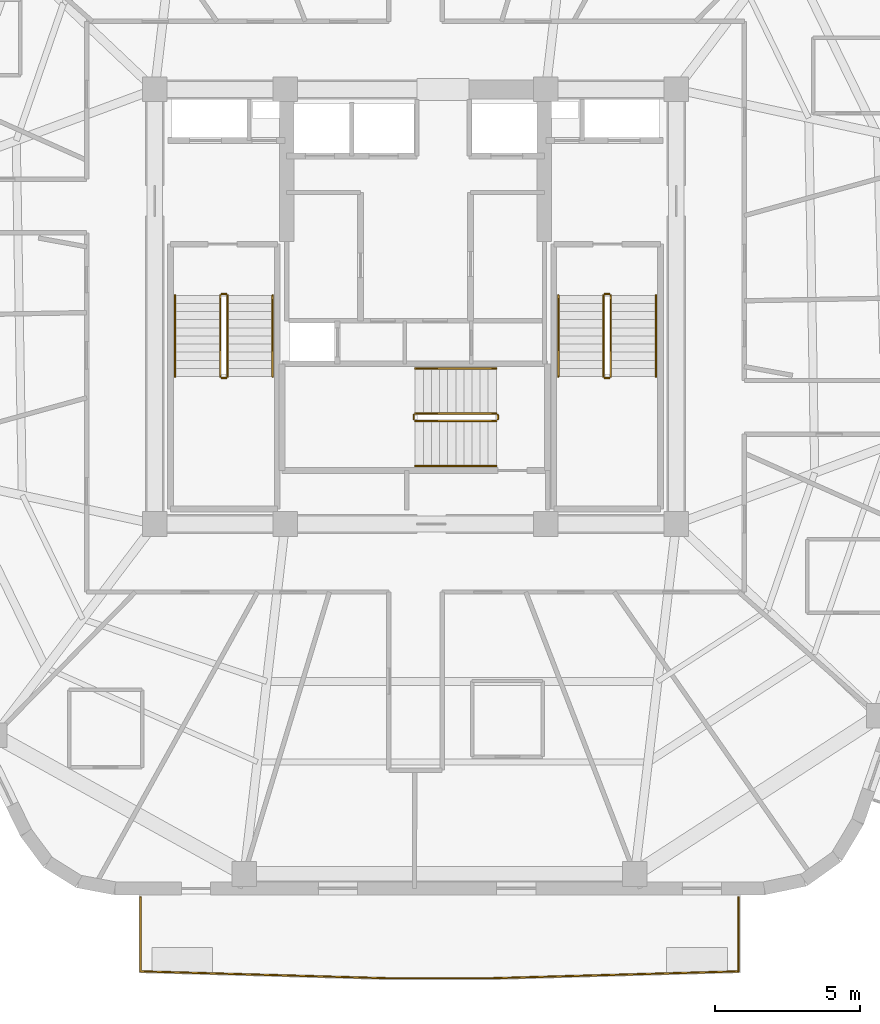
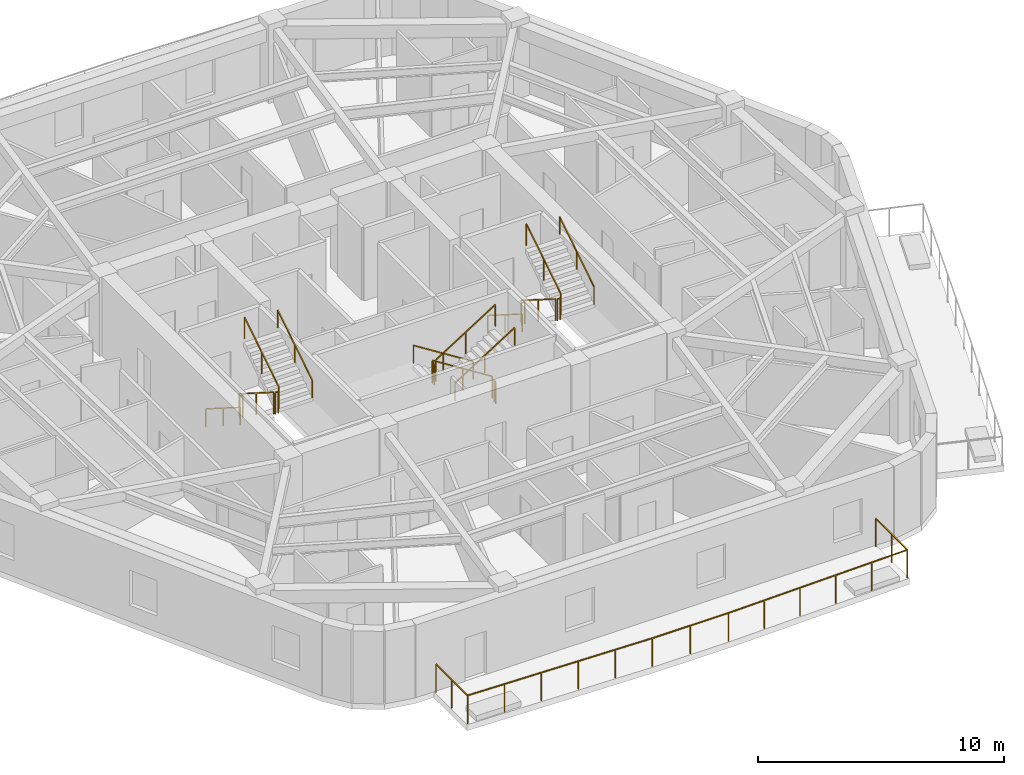
# One storey, part 8 of 9: 19 railings.
"""IFC4 building model written with IfcOpenShell, lengths in metres."""

from ifc_helpers import new_model, si_unit, direction, frame, origin, origin_2d, place, context, subcontext, project, spatial, rectangle, extrude, material, layer, layer_set, type_object, element, save


model = new_model("IFC4")

# Units and contexts
model_context = context("Model", 3, precision=1e-05, world=origin(), true_north=direction((0.0, 1.0)))
body_context = subcontext(model_context, "Body", "Model", "MODEL_VIEW")
ifc_project = project(units=[si_unit("LENGTHUNIT", "METRE"), si_unit("AREAUNIT", "SQUARE_METRE"), si_unit("VOLUMEUNIT", "CUBIC_METRE"), si_unit("PLANEANGLEUNIT", "RADIAN"), si_unit("MASSUNIT", "GRAM", prefix="KILO")], contexts=[model_context])

# Site, building, storey
site_placement = place(None, origin())
site = spatial("IfcSite", under=ifc_project, at=site_placement, CompositionType="ELEMENT")
building_placement = place(site_placement, origin())
building = spatial("IfcBuilding", under=site, at=building_placement, Name="Kilnhurst Terrace Hotel", CompositionType="ELEMENT")
storey_placement = place(building_placement, frame((0.0, 0.0, 269.10009765625)))
storey = spatial("IfcBuildingStorey", under=building, at=storey_placement, Name="L67", CompositionType="ELEMENT", Elevation=269.10009765625)

# Railings
ifc_material_1 = material(Name="Laminated SentryGlas and Stainless Steel AISI 316L Balustrade", Category="steel")
ifc_layer_1 = layer(ifc_material_1, 0.070068359375, Name="Laminated SentryGlas and Stainless Steel AISI 316L Balustrade")
ifc_layer_set_1 = layer_set([ifc_layer_1], Name="Laminated SentryGlas and Stainless Steel AISI 316L Balustrade")
railing_type_1 = type_object("IfcRailingType", Name="RLG-BAL-1420", PredefinedType="BALUSTRADE", material=ifc_layer_set_1)
railing_1_placement = place(storey_placement, frame((11.151611328125, -20.3798828125, 0.0)))
element("IfcRailing", 1, at=railing_1_placement, inside=storey, type_object=railing_type_1, Name="L67 Exterior Terrace Guardrail BAL-L1A.1", PredefinedType="BALUSTRADE", context=body_context, shape_type="SweptSolid", body=[
    extrude(rectangle(XDim=0.048095703125, YDim=0.048095703125, at=origin_2d()), frame((0.0, 0.0, 1.39599609375), z_axis=(0.0, -1.0, 0.0), x_axis=(1.0, 0.0, 0.0)), (0.0, 0.0, 1.0), 2.561767578125),
    extrude(rectangle(XDim=0.048095703125, YDim=0.048095703125, at=origin_2d()), frame((0.0, -2.561767578125, 1.39599609375), z_axis=(-0.999610218954, -0.027917918323, 0.0), x_axis=(0.027917918323, -0.999610218954, 0.0)), (0.0, 0.0, 1.0), 8.53515625),
    extrude(rectangle(XDim=0.048095703125, YDim=0.048095703125, at=origin_2d()), frame((-8.53173828125, -2.800048828125, 1.39599609375), z_axis=(-1.0, 0.0, 0.0), x_axis=(0.0, -1.0, 0.0)), (0.0, 0.0, 1.0), 3.577880859375),
    extrude(rectangle(XDim=0.048095703125, YDim=0.048095703125, at=origin_2d()), frame((-12.109619140625, -2.800048828125, 1.39599609375), z_axis=(-0.999610218954, 0.027917918323, 0.0), x_axis=(-0.027917918323, -0.999610218954, 0.0)), (0.0, 0.0, 1.0), 8.53515625),
    extrude(rectangle(XDim=0.048095703125, YDim=0.048095703125, at=origin_2d()), frame((-20.641357421875, -2.561767578125, 1.39599609375), z_axis=(0.0, 1.0, 0.0), x_axis=(-1.0, 0.0, 0.0)), (0.0, 0.0, 1.0), 2.561767578125),
    extrude(rectangle(XDim=0.0419921875, YDim=0.0419921875, at=origin_2d()), origin(), (0.0, 0.0, 1.0), 1.371826171875),
    extrude(rectangle(XDim=0.0419921875, YDim=0.0419921875, at=origin_2d()), frame((0.0, -1.28076171875, 0.0)), (0.0, 0.0, 1.0), 1.371826171875),
    extrude(rectangle(XDim=0.0419921875, YDim=0.0419921875, at=origin_2d()), frame((0.0, -2.561767578125, 0.0)), (0.0, 0.0, 1.0), 1.371826171875),
    extrude(rectangle(XDim=0.0419921875, YDim=0.0419921875, at=origin_2d()), frame((-1.706298828125, -2.609375, 0.0)), (0.0, 0.0, 1.0), 1.371826171875),
    extrude(rectangle(XDim=0.0419921875, YDim=0.0419921875, at=origin_2d()), frame((-3.41259765625, -2.656982421875, 0.0)), (0.0, 0.0, 1.0), 1.371826171875),
    extrude(rectangle(XDim=0.0419921875, YDim=0.0419921875, at=origin_2d()), frame((-5.119140625, -2.704833984375, 0.0)), (0.0, 0.0, 1.0), 1.371826171875),
    extrude(rectangle(XDim=0.0419921875, YDim=0.0419921875, at=origin_2d()), frame((-6.825439453125, -2.75244140625, 0.0)), (0.0, 0.0, 1.0), 1.371826171875),
    extrude(rectangle(XDim=0.0419921875, YDim=0.0419921875, at=origin_2d()), frame((-8.53173828125, -2.800048828125, 0.0)), (0.0, 0.0, 1.0), 1.371826171875),
    extrude(rectangle(XDim=0.0419921875, YDim=0.0419921875, at=origin_2d()), frame((-10.32080078125, -2.800048828125, 0.0)), (0.0, 0.0, 1.0), 1.371826171875),
    extrude(rectangle(XDim=0.0419921875, YDim=0.0419921875, at=origin_2d()), frame((-12.109619140625, -2.800048828125, 0.0)), (0.0, 0.0, 1.0), 1.371826171875),
    extrude(rectangle(XDim=0.0419921875, YDim=0.0419921875, at=origin_2d()), frame((-13.81591796875, -2.75244140625, 0.0)), (0.0, 0.0, 1.0), 1.371826171875),
    extrude(rectangle(XDim=0.0419921875, YDim=0.0419921875, at=origin_2d()), frame((-15.522216796875, -2.704833984375, 0.0)), (0.0, 0.0, 1.0), 1.371826171875),
    extrude(rectangle(XDim=0.0419921875, YDim=0.0419921875, at=origin_2d()), frame((-17.228759765625, -2.656982421875, 0.0)), (0.0, 0.0, 1.0), 1.371826171875),
    extrude(rectangle(XDim=0.0419921875, YDim=0.0419921875, at=origin_2d()), frame((-18.93505859375, -2.609375, 0.0)), (0.0, 0.0, 1.0), 1.371826171875),
    extrude(rectangle(XDim=0.0419921875, YDim=0.0419921875, at=origin_2d()), frame((-20.641357421875, -2.561767578125, 0.0)), (0.0, 0.0, 1.0), 1.371826171875),
    extrude(rectangle(XDim=0.0419921875, YDim=0.0419921875, at=origin_2d()), frame((-20.641357421875, -1.28076171875, 0.0)), (0.0, 0.0, 1.0), 1.371826171875),
    extrude(rectangle(XDim=0.0419921875, YDim=0.0419921875, at=origin_2d()), frame((-20.641357421875, 0.0, 0.0)), (0.0, 0.0, 1.0), 1.371826171875),
])
ifc_material_2 = material(Name="Powder-Coated Steel ASTM A500 Grade B", Category="steel")
ifc_layer_2 = layer(ifc_material_2, 0.050048828125, Name="Powder-Coated Steel ASTM A500 Grade B")
ifc_layer_set_2 = layer_set([ifc_layer_2], Name="Powder-Coated Steel ASTM A500 Grade B")
railing_type_2 = type_object("IfcRailingType", Name="RLG-ST-GRD-1100", PredefinedType="GUARDRAIL", material=ifc_layer_set_2)
railing_2_placement = place(storey_placement, frame((-6.739990234375, 0.389892578125, 0.17724609375)))
element("IfcRailing", 2, at=railing_2_placement, inside=storey, type_object=railing_type_2, Name="L67 ST-1 stair guard 1", PredefinedType="GUARDRAIL", context=body_context, shape_type="SweptSolid", body=[
    extrude(rectangle(XDim=0.048095703125, YDim=0.048095703125, at=origin_2d()), frame((0.0, 0.0, 1.076171875), z_axis=(0.0, -0.844887892834, 0.53494340686), x_axis=(1.0, 0.0, 0.0)), (0.0, 0.0, 1.0), 3.313720703125),
    extrude(rectangle(XDim=0.0419921875, YDim=0.0419921875, at=origin_2d()), origin(), (0.0, 0.0, 1.0), 1.052001953125),
    extrude(rectangle(XDim=0.0419921875, YDim=0.0419921875, at=origin_2d()), frame((0.0, -1.39990234375, 0.88623046875)), (0.0, 0.0, 1.0), 1.052001953125),
    extrude(rectangle(XDim=0.0419921875, YDim=0.0419921875, at=origin_2d()), frame((0.0, -2.7998046875, 1.772705078125)), (0.0, 0.0, 1.0), 1.052001953125),
])
railing_3_placement = place(storey_placement, frame((-6.68994140625, -2.4599609375, 1.949951171875)))
element("IfcRailing", 3, at=railing_3_placement, inside=storey, type_object=railing_type_2, Name="L67 ST-1 stair guard 2", PredefinedType="GUARDRAIL", context=body_context, shape_type="SweptSolid", body=[
    extrude(rectangle(XDim=0.048095703125, YDim=0.048095703125, at=origin_2d()), frame((0.0, 0.0, 1.076171875), z_axis=(1.0, 0.0, 0.0), x_axis=(0.0, 1.0, 0.0)), (0.0, 0.0, 1.0), 0.14990234375),
    extrude(rectangle(XDim=0.0419921875, YDim=0.0419921875, at=origin_2d()), origin(), (0.0, 0.0, 1.0), 1.052001953125),
    extrude(rectangle(XDim=0.0419921875, YDim=0.0419921875, at=origin_2d()), frame((0.14990234375, 0.0, 0.0)), (0.0, 0.0, 1.0), 1.052001953125),
])
railing_4_placement = place(storey_placement, frame((-6.489990234375, -2.409912109375, 2.127197265625)))
element("IfcRailing", 4, at=railing_4_placement, inside=storey, type_object=railing_type_2, Name="L67 ST-1 stair guard 3", PredefinedType="GUARDRAIL", context=body_context, shape_type="SweptSolid", body=[
    extrude(rectangle(XDim=0.048095703125, YDim=0.048095703125, at=origin_2d()), frame((0.0, 0.0, 1.076171875), z_axis=(0.0, 0.844887892834, 0.53494340686), x_axis=(-1.0, 0.0, 0.0)), (0.0, 0.0, 1.0), 3.313720703125),
    extrude(rectangle(XDim=0.0419921875, YDim=0.0419921875, at=origin_2d()), origin(), (0.0, 0.0, 1.0), 1.052001953125),
    extrude(rectangle(XDim=0.0419921875, YDim=0.0419921875, at=origin_2d()), frame((0.0, 1.39990234375, 0.88623046875)), (0.0, 0.0, 1.0), 1.052001953125),
    extrude(rectangle(XDim=0.0419921875, YDim=0.0419921875, at=origin_2d()), frame((0.0, 2.7998046875, 1.772705078125)), (0.0, 0.0, 1.0), 1.052001953125),
])
railing_5_placement = place(storey_placement, frame((-6.68994140625, 0.43994140625, 0.0)))
element("IfcRailing", 5, at=railing_5_placement, inside=storey, type_object=railing_type_2, Name="L67 ST-1 stair guard 4", PredefinedType="GUARDRAIL", context=body_context, shape_type="SweptSolid", body=[
    extrude(rectangle(XDim=0.048095703125, YDim=0.048095703125, at=origin_2d()), frame((0.0, 0.0, 1.076171875), z_axis=(1.0, 0.0, 0.0), x_axis=(0.0, 1.0, 0.0)), (0.0, 0.0, 1.0), 0.14990234375),
    extrude(rectangle(XDim=0.0419921875, YDim=0.0419921875, at=origin_2d()), origin(), (0.0, 0.0, 1.0), 1.052001953125),
    extrude(rectangle(XDim=0.0419921875, YDim=0.0419921875, at=origin_2d()), frame((0.14990234375, 0.0, 0.0)), (0.0, 0.0, 1.0), 1.052001953125),
])
railing_6_placement = place(storey_placement, frame((6.489990234375, 0.389892578125, 0.17724609375)))
element("IfcRailing", 6, at=railing_6_placement, inside=storey, type_object=railing_type_2, Name="L67 ST-2 stair guard 1", PredefinedType="GUARDRAIL", context=body_context, shape_type="SweptSolid", body=[
    extrude(rectangle(XDim=0.048095703125, YDim=0.048095703125, at=origin_2d()), frame((0.0, 0.0, 1.076171875), z_axis=(0.0, -0.844887892834, 0.53494340686), x_axis=(1.0, 0.0, 0.0)), (0.0, 0.0, 1.0), 3.313720703125),
    extrude(rectangle(XDim=0.0419921875, YDim=0.0419921875, at=origin_2d()), origin(), (0.0, 0.0, 1.0), 1.052001953125),
    extrude(rectangle(XDim=0.0419921875, YDim=0.0419921875, at=origin_2d()), frame((0.0, -1.39990234375, 0.88623046875)), (0.0, 0.0, 1.0), 1.052001953125),
    extrude(rectangle(XDim=0.0419921875, YDim=0.0419921875, at=origin_2d()), frame((0.0, -2.7998046875, 1.772705078125)), (0.0, 0.0, 1.0), 1.052001953125),
])
railing_7_placement = place(storey_placement, frame((6.5400390625, -2.4599609375, 1.949951171875)))
element("IfcRailing", 7, at=railing_7_placement, inside=storey, type_object=railing_type_2, Name="L67 ST-2 stair guard 2", PredefinedType="GUARDRAIL", context=body_context, shape_type="SweptSolid", body=[
    extrude(rectangle(XDim=0.048095703125, YDim=0.048095703125, at=origin_2d()), frame((0.0, 0.0, 1.076171875), z_axis=(1.0, 0.0, 0.0), x_axis=(0.0, 1.0, 0.0)), (0.0, 0.0, 1.0), 0.14990234375),
    extrude(rectangle(XDim=0.0419921875, YDim=0.0419921875, at=origin_2d()), origin(), (0.0, 0.0, 1.0), 1.052001953125),
    extrude(rectangle(XDim=0.0419921875, YDim=0.0419921875, at=origin_2d()), frame((0.14990234375, 0.0, 0.0)), (0.0, 0.0, 1.0), 1.052001953125),
])
railing_8_placement = place(storey_placement, frame((6.739990234375, -2.409912109375, 2.127197265625)))
element("IfcRailing", 8, at=railing_8_placement, inside=storey, type_object=railing_type_2, Name="L67 ST-2 stair guard 3", PredefinedType="GUARDRAIL", context=body_context, shape_type="SweptSolid", body=[
    extrude(rectangle(XDim=0.048095703125, YDim=0.048095703125, at=origin_2d()), frame((0.0, 0.0, 1.076171875), z_axis=(0.0, 0.844887892834, 0.53494340686), x_axis=(-1.0, 0.0, 0.0)), (0.0, 0.0, 1.0), 3.313720703125),
    extrude(rectangle(XDim=0.0419921875, YDim=0.0419921875, at=origin_2d()), origin(), (0.0, 0.0, 1.0), 1.052001953125),
    extrude(rectangle(XDim=0.0419921875, YDim=0.0419921875, at=origin_2d()), frame((0.0, 1.39990234375, 0.88623046875)), (0.0, 0.0, 1.0), 1.052001953125),
    extrude(rectangle(XDim=0.0419921875, YDim=0.0419921875, at=origin_2d()), frame((0.0, 2.7998046875, 1.772705078125)), (0.0, 0.0, 1.0), 1.052001953125),
])
railing_9_placement = place(storey_placement, frame((6.5400390625, 0.43994140625, 0.0)))
element("IfcRailing", 9, at=railing_9_placement, inside=storey, type_object=railing_type_2, Name="L67 ST-2 stair guard 4", PredefinedType="GUARDRAIL", context=body_context, shape_type="SweptSolid", body=[
    extrude(rectangle(XDim=0.048095703125, YDim=0.048095703125, at=origin_2d()), frame((0.0, 0.0, 1.076171875), z_axis=(1.0, 0.0, 0.0), x_axis=(0.0, 1.0, 0.0)), (0.0, 0.0, 1.0), 0.14990234375),
    extrude(rectangle(XDim=0.0419921875, YDim=0.0419921875, at=origin_2d()), origin(), (0.0, 0.0, 1.0), 1.052001953125),
    extrude(rectangle(XDim=0.0419921875, YDim=0.0419921875, at=origin_2d()), frame((0.14990234375, 0.0, 0.0)), (0.0, 0.0, 1.0), 1.052001953125),
])
railing_10_placement = place(storey_placement, frame((2.7900390625, -3.68994140625, 0.17724609375)))
element("IfcRailing", 10, at=railing_10_placement, inside=storey, type_object=railing_type_2, Name="L67 ST-3 stair guard 1", PredefinedType="GUARDRAIL", context=body_context, shape_type="SweptSolid", body=[
    extrude(rectangle(XDim=0.048095703125, YDim=0.048095703125, at=origin_2d()), frame((0.0, 0.0, 1.076171875), z_axis=(-0.844908973607, 0.0, 0.534910110503), x_axis=(0.0, -1.0, 0.0)), (0.0, 0.0, 1.0), 3.31396484375),
    extrude(rectangle(XDim=0.0419921875, YDim=0.0419921875, at=origin_2d()), origin(), (0.0, 0.0, 1.0), 1.052001953125),
    extrude(rectangle(XDim=0.0419921875, YDim=0.0419921875, at=origin_2d()), frame((-1.39990234375, 0.0, 0.88623046875)), (0.0, 0.0, 1.0), 1.052001953125),
    extrude(rectangle(XDim=0.0419921875, YDim=0.0419921875, at=origin_2d()), frame((-2.800048828125, 0.0, 1.772705078125)), (0.0, 0.0, 1.0), 1.052001953125),
])
railing_11_placement = place(storey_placement, frame((-0.06005859375, -3.739990234375, 1.949951171875)))
element("IfcRailing", 11, at=railing_11_placement, inside=storey, type_object=railing_type_2, Name="L67 ST-3 stair guard 2", PredefinedType="GUARDRAIL", context=body_context, shape_type="SweptSolid", body=[
    extrude(rectangle(XDim=0.048095703125, YDim=0.048095703125, at=origin_2d()), frame((0.0, 0.0, 1.076171875), z_axis=(0.0, -1.0, 0.0), x_axis=(1.0, 0.0, 0.0)), (0.0, 0.0, 1.0), 0.14990234375),
    extrude(rectangle(XDim=0.0419921875, YDim=0.0419921875, at=origin_2d()), origin(), (0.0, 0.0, 1.0), 1.052001953125),
    extrude(rectangle(XDim=0.0419921875, YDim=0.0419921875, at=origin_2d()), frame((0.0, -0.14990234375, 0.0)), (0.0, 0.0, 1.0), 1.052001953125),
])
railing_12_placement = place(storey_placement, frame((-0.010009765625, -3.93994140625, 2.127197265625)))
element("IfcRailing", 12, at=railing_12_placement, inside=storey, type_object=railing_type_2, Name="L67 ST-3 stair guard 3", PredefinedType="GUARDRAIL", context=body_context, shape_type="SweptSolid", body=[
    extrude(rectangle(XDim=0.048095703125, YDim=0.048095703125, at=origin_2d()), frame((0.0, 0.0, 1.076171875), z_axis=(0.844908973607, 0.0, 0.534910110503), x_axis=(0.0, 1.0, 0.0)), (0.0, 0.0, 1.0), 3.31396484375),
    extrude(rectangle(XDim=0.0419921875, YDim=0.0419921875, at=origin_2d()), origin(), (0.0, 0.0, 1.0), 1.052001953125),
    extrude(rectangle(XDim=0.0419921875, YDim=0.0419921875, at=origin_2d()), frame((1.39990234375, 0.0, 0.88623046875)), (0.0, 0.0, 1.0), 1.052001953125),
    extrude(rectangle(XDim=0.0419921875, YDim=0.0419921875, at=origin_2d()), frame((2.800048828125, 0.0, 1.772705078125)), (0.0, 0.0, 1.0), 1.052001953125),
])
railing_13_placement = place(storey_placement, frame((2.840087890625, -3.739990234375, 0.0)))
element("IfcRailing", 13, at=railing_13_placement, inside=storey, type_object=railing_type_2, Name="L67 ST-3 stair guard 4", PredefinedType="GUARDRAIL", context=body_context, shape_type="SweptSolid", body=[
    extrude(rectangle(XDim=0.048095703125, YDim=0.048095703125, at=origin_2d()), frame((0.0, 0.0, 1.076171875), z_axis=(0.0, -1.0, 0.0), x_axis=(1.0, 0.0, 0.0)), (0.0, 0.0, 1.0), 0.14990234375),
    extrude(rectangle(XDim=0.0419921875, YDim=0.0419921875, at=origin_2d()), origin(), (0.0, 0.0, 1.0), 1.052001953125),
    extrude(rectangle(XDim=0.0419921875, YDim=0.0419921875, at=origin_2d()), frame((0.0, -0.14990234375, 0.0)), (0.0, 0.0, 1.0), 1.052001953125),
])
ifc_material_3 = material(Name="Brushed Stainless Steel AISI 304", Category="steel")
ifc_layer_3 = layer(ifc_material_3, 0.048095703125, Name="Brushed Stainless Steel AISI 304")
ifc_layer_set_3 = layer_set([ifc_layer_3], Name="Brushed Stainless Steel AISI 304")
railing_type_3 = type_object("IfcRailingType", Name="RLG-ST-HRL-900", PredefinedType="HANDRAIL", material=ifc_layer_set_3)
railing_14_placement = place(storey_placement, frame((-8.300048828125, 0.389892578125, 0.17724609375)))
element("IfcRailing", 14, at=railing_14_placement, inside=storey, type_object=railing_type_3, Name="L67 ST-1 stair handrail 1", PredefinedType="HANDRAIL", context=body_context, shape_type="SweptSolid", body=[
    extrude(rectangle(XDim=0.048095703125, YDim=0.048095703125, at=origin_2d()), frame((0.0, 0.0, 0.8759765625), z_axis=(0.0, -0.844887892834, 0.53494340686), x_axis=(1.0, 0.0, 0.0)), (0.0, 0.0, 1.0), 3.313720703125),
    extrude(rectangle(XDim=0.0419921875, YDim=0.0419921875, at=origin_2d()), origin(), (0.0, 0.0, 1.0), 0.851806640625),
    extrude(rectangle(XDim=0.0419921875, YDim=0.0419921875, at=origin_2d()), frame((0.0, -1.39990234375, 0.88623046875)), (0.0, 0.0, 1.0), 0.851806640625),
    extrude(rectangle(XDim=0.0419921875, YDim=0.0419921875, at=origin_2d()), frame((0.0, -2.7998046875, 1.772705078125)), (0.0, 0.0, 1.0), 0.851806640625),
])
railing_15_placement = place(storey_placement, frame((-4.929931640625, -2.409912109375, 2.127197265625)))
element("IfcRailing", 15, at=railing_15_placement, inside=storey, type_object=railing_type_3, Name="L67 ST-1 stair handrail 2", PredefinedType="HANDRAIL", context=body_context, shape_type="SweptSolid", body=[
    extrude(rectangle(XDim=0.048095703125, YDim=0.048095703125, at=origin_2d()), frame((0.0, 0.0, 0.8759765625), z_axis=(0.0, 0.844887892834, 0.53494340686), x_axis=(-1.0, 0.0, 0.0)), (0.0, 0.0, 1.0), 3.313720703125),
    extrude(rectangle(XDim=0.0419921875, YDim=0.0419921875, at=origin_2d()), origin(), (0.0, 0.0, 1.0), 0.851806640625),
    extrude(rectangle(XDim=0.0419921875, YDim=0.0419921875, at=origin_2d()), frame((0.0, 1.39990234375, 0.88623046875)), (0.0, 0.0, 1.0), 0.851806640625),
    extrude(rectangle(XDim=0.0419921875, YDim=0.0419921875, at=origin_2d()), frame((0.0, 2.7998046875, 1.772705078125)), (0.0, 0.0, 1.0), 0.851806640625),
])
railing_16_placement = place(storey_placement, frame((4.929931640625, 0.389892578125, 0.17724609375)))
element("IfcRailing", 16, at=railing_16_placement, inside=storey, type_object=railing_type_3, Name="L67 ST-2 stair handrail 1", PredefinedType="HANDRAIL", context=body_context, shape_type="SweptSolid", body=[
    extrude(rectangle(XDim=0.048095703125, YDim=0.048095703125, at=origin_2d()), frame((0.0, 0.0, 0.8759765625), z_axis=(0.0, -0.844887892834, 0.53494340686), x_axis=(1.0, 0.0, 0.0)), (0.0, 0.0, 1.0), 3.313720703125),
    extrude(rectangle(XDim=0.0419921875, YDim=0.0419921875, at=origin_2d()), origin(), (0.0, 0.0, 1.0), 0.851806640625),
    extrude(rectangle(XDim=0.0419921875, YDim=0.0419921875, at=origin_2d()), frame((0.0, -1.39990234375, 0.88623046875)), (0.0, 0.0, 1.0), 0.851806640625),
    extrude(rectangle(XDim=0.0419921875, YDim=0.0419921875, at=origin_2d()), frame((0.0, -2.7998046875, 1.772705078125)), (0.0, 0.0, 1.0), 0.851806640625),
])
railing_17_placement = place(storey_placement, frame((8.300048828125, -2.409912109375, 2.127197265625)))
element("IfcRailing", 17, at=railing_17_placement, inside=storey, type_object=railing_type_3, Name="L67 ST-2 stair handrail 2", PredefinedType="HANDRAIL", context=body_context, shape_type="SweptSolid", body=[
    extrude(rectangle(XDim=0.048095703125, YDim=0.048095703125, at=origin_2d()), frame((0.0, 0.0, 0.8759765625), z_axis=(0.0, 0.844887892834, 0.53494340686), x_axis=(-1.0, 0.0, 0.0)), (0.0, 0.0, 1.0), 3.313720703125),
    extrude(rectangle(XDim=0.0419921875, YDim=0.0419921875, at=origin_2d()), origin(), (0.0, 0.0, 1.0), 0.851806640625),
    extrude(rectangle(XDim=0.0419921875, YDim=0.0419921875, at=origin_2d()), frame((0.0, 1.39990234375, 0.88623046875)), (0.0, 0.0, 1.0), 0.851806640625),
    extrude(rectangle(XDim=0.0419921875, YDim=0.0419921875, at=origin_2d()), frame((0.0, 2.7998046875, 1.772705078125)), (0.0, 0.0, 1.0), 0.851806640625),
])
railing_18_placement = place(storey_placement, frame((2.7900390625, -2.1298828125, 0.17724609375)))
element("IfcRailing", 18, at=railing_18_placement, inside=storey, type_object=railing_type_3, Name="L67 ST-3 stair handrail 1", PredefinedType="HANDRAIL", context=body_context, shape_type="SweptSolid", body=[
    extrude(rectangle(XDim=0.048095703125, YDim=0.048095703125, at=origin_2d()), frame((0.0, 0.0, 0.8759765625), z_axis=(-0.844908973607, 0.0, 0.534910110503), x_axis=(0.0, -1.0, 0.0)), (0.0, 0.0, 1.0), 3.31396484375),
    extrude(rectangle(XDim=0.0419921875, YDim=0.0419921875, at=origin_2d()), origin(), (0.0, 0.0, 1.0), 0.851806640625),
    extrude(rectangle(XDim=0.0419921875, YDim=0.0419921875, at=origin_2d()), frame((-1.39990234375, 0.0, 0.88623046875)), (0.0, 0.0, 1.0), 0.851806640625),
    extrude(rectangle(XDim=0.0419921875, YDim=0.0419921875, at=origin_2d()), frame((-2.800048828125, 0.0, 1.772705078125)), (0.0, 0.0, 1.0), 0.851806640625),
])
railing_19_placement = place(storey_placement, frame((-0.010009765625, -5.5, 2.127197265625)))
element("IfcRailing", 19, at=railing_19_placement, inside=storey, type_object=railing_type_3, Name="L67 ST-3 stair handrail 2", PredefinedType="HANDRAIL", context=body_context, shape_type="SweptSolid", body=[
    extrude(rectangle(XDim=0.048095703125, YDim=0.048095703125, at=origin_2d()), frame((0.0, 0.0, 0.8759765625), z_axis=(0.844908973607, 0.0, 0.534910110503), x_axis=(0.0, 1.0, 0.0)), (0.0, 0.0, 1.0), 3.31396484375),
    extrude(rectangle(XDim=0.0419921875, YDim=0.0419921875, at=origin_2d()), origin(), (0.0, 0.0, 1.0), 0.851806640625),
    extrude(rectangle(XDim=0.0419921875, YDim=0.0419921875, at=origin_2d()), frame((1.39990234375, 0.0, 0.88623046875)), (0.0, 0.0, 1.0), 0.851806640625),
    extrude(rectangle(XDim=0.0419921875, YDim=0.0419921875, at=origin_2d()), frame((2.800048828125, 0.0, 1.772705078125)), (0.0, 0.0, 1.0), 0.851806640625),
])

save(model, "model.ifc")
